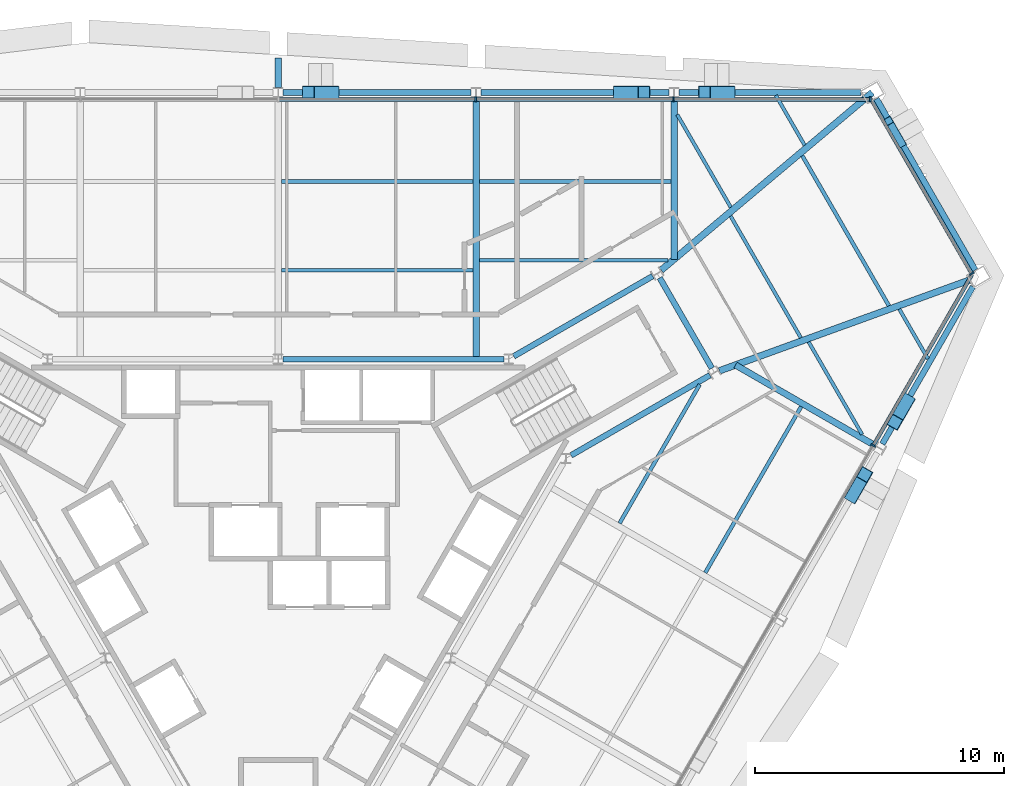
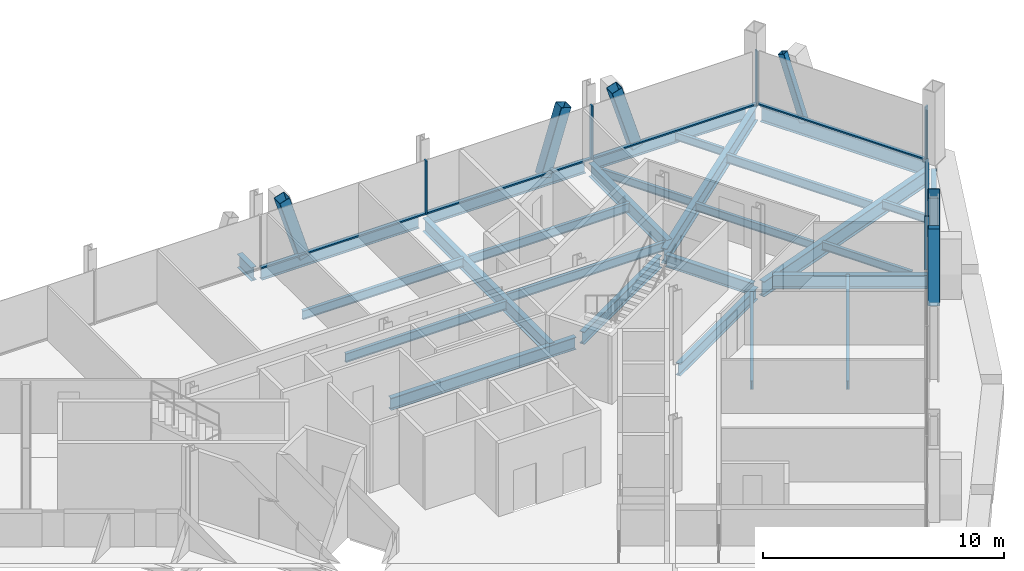
# One storey, part 7 of 14: 27 beams, 16 members, 3 elements without a shape of their own.
"""IFC4 building model written with IfcOpenShell, lengths in metres."""

from ifc_helpers import new_model, si_unit, direction, frame, origin, origin_2d, place, context, subcontext, project, spatial, rectangle, hollow_rectangle, i_section, extrude, material, material_profile, profile_set, type_object, element, aggregate, save


model = new_model("IFC4")

# Units and contexts
model_context = context("Model", 3, precision=1e-05, world=origin(), true_north=direction((0.0, 1.0)))
body_context = subcontext(model_context, "Body", "Model", "MODEL_VIEW")
ifc_project = project(units=[si_unit("LENGTHUNIT", "METRE"), si_unit("AREAUNIT", "SQUARE_METRE"), si_unit("VOLUMEUNIT", "CUBIC_METRE"), si_unit("PLANEANGLEUNIT", "RADIAN"), si_unit("MASSUNIT", "GRAM", prefix="KILO")], contexts=[model_context])

# Site, building, storey
site_placement = place(None, origin())
site = spatial("IfcSite", under=ifc_project, at=site_placement, CompositionType="ELEMENT")
building_placement = place(site_placement, origin())
building = spatial("IfcBuilding", under=site, at=building_placement, Name="Verrane Prism Tower", CompositionType="ELEMENT")
storey_placement = place(building_placement, frame((0.0, 0.0, 193.199951171875)))
storey = spatial("IfcBuildingStorey", under=building, at=storey_placement, Name="L48", CompositionType="ELEMENT", Elevation=193.199951171875)

# Member
ifc_material_1 = material(Name="Steel A500 Grade C", Category="steel")
ifc_material_profile_1 = material_profile(ifc_material_1, hollow_rectangle(XDim=0.3046875, YDim=0.3046875, WallThickness=0.0126953125, InnerFilletRadius=0.00634765625, OuterFilletRadius=0.01904296875, at=origin_2d()), Name="HSS12x12x1/2")
ifc_profile_set_1 = profile_set([ifc_material_profile_1], Name="Steel A500 Grade C")
member_type_1 = type_object("IfcMemberType", Name="Chamfer brace HSS12x12x1/2", PredefinedType="BRACE", material=ifc_profile_set_1)
member_1_placement = place(storey_placement, frame((25.03125, 16.680419921875, -0.242431640625), z_axis=(-0.156575563455, 0.271303155925, 0.949672938708), x_axis=(-0.866110249334, -0.499853014394, 0.0)))
element("IfcMember", 1, at=member_1_placement, inside=storey, type_object=member_type_1, Name="Chamfer brace NE0 L48", PredefinedType="BRACE", context=body_context, shape_type="SweptSolid", body=[
    extrude(hollow_rectangle(XDim=0.3046875, YDim=0.3046875, WallThickness=0.0126953125, InnerFilletRadius=0.00634765625, OuterFilletRadius=0.01904296875, at=origin_2d()), origin(), (0.0, 0.0, 1.0), 3.27294921875),
])

# Beams
ifc_material_2 = material(Name="Steel A992", Category="steel")
ifc_material_profile_2 = material_profile(ifc_material_2, i_section(OverallWidth=0.2666015625, OverallDepth=0.7568359375, WebThickness=0.013916015625, FlangeThickness=0.019287109375, FilletRadius=0.0166015625, at=origin_2d()), Name="W30x108")
ifc_profile_set_2 = profile_set([ifc_material_profile_2], Name="Steel A992")
beam_type_1 = type_object("IfcBeamType", Name="Chamfer spandrel beam W30x108", PredefinedType="SPANDREL", material=ifc_profile_set_2)
beam_1_placement = place(storey_placement, frame((27.97998046875, 11.56982421875, -0.538330078125), z_axis=(-0.499772118917, 0.86615693102, 0.0), x_axis=(-0.86615693102, -0.499772118917, 0.0)))
element("IfcBeam", 2, at=beam_1_placement, inside=storey, type_object=beam_type_1, Name="Chamfer spandrel beam L48", PredefinedType="SPANDREL", context=body_context, shape_type="SweptSolid", body=[
    extrude(i_section(OverallWidth=0.2666015625, OverallDepth=0.7568359375, WebThickness=0.013916015625, FlangeThickness=0.019287109375, FilletRadius=0.0166015625, at=origin_2d()), origin(), (0.0, 0.0, 1.0), 7.943603515625),
])
ifc_material_3 = material(Name="Steel A992", Category="steel")
ifc_material_profile_3 = material_profile(ifc_material_3, i_section(OverallWidth=0.23046875, OverallDepth=0.6171875, WebThickness=0.01318359375, FlangeThickness=0.022216796875, FilletRadius=0.012939453125, at=origin_2d()), Name="W24x94")
ifc_profile_set_3 = profile_set([ifc_material_profile_3], Name="Steel A992")
beam_type_2 = type_object("IfcBeamType", Name="Core ring girder W24x94", PredefinedType="BEAM", material=ifc_profile_set_3)
beam_2_placement = place(storey_placement, frame((11.7607421875, 4.1357421875, -0.55859375), z_axis=(0.866075143088, 0.499913839102, 0.0), x_axis=(-0.499913839102, 0.866075143088, 0.0)))
element("IfcBeam", 3, at=beam_2_placement, inside=storey, type_object=beam_type_2, Name="Core ring girder L48", PredefinedType="BEAM", context=body_context, shape_type="SweptSolid", body=[
    extrude(i_section(OverallWidth=0.23046875, OverallDepth=0.6171875, WebThickness=0.01318359375, FlangeThickness=0.022216796875, FilletRadius=0.012939453125, at=origin_2d()), origin(), (0.0, 0.0, 1.0), 6.441650390625),
])
beam_3_placement = place(storey_placement, frame((17.418212890625, 7.635986328125, -0.55859375), z_axis=(-0.500305747711, 0.865848808284, 0.0), x_axis=(-0.865848808284, -0.500305747711, 0.0)))
element("IfcBeam", 4, at=beam_3_placement, inside=storey, type_object=beam_type_2, Name="Core ring girder L48", PredefinedType="BEAM", context=body_context, shape_type="SweptSolid", body=[
    extrude(i_section(OverallWidth=0.23046875, OverallDepth=0.6171875, WebThickness=0.01318359375, FlangeThickness=0.022216796875, FilletRadius=0.012939453125, at=origin_2d()), origin(), (0.0, 0.0, 1.0), 4.1904296875),
])
beam_4_placement = place(storey_placement, frame((15.03955078125, 11.3359375, -0.55859375), z_axis=(-0.866075143088, -0.499913839102, 0.0), x_axis=(0.499913839102, -0.866075143088, 0.0)))
element("IfcBeam", 5, at=beam_4_placement, inside=storey, type_object=beam_type_2, Name="Core ring girder L48", PredefinedType="BEAM", context=body_context, shape_type="SweptSolid", body=[
    extrude(i_section(OverallWidth=0.23046875, OverallDepth=0.6171875, WebThickness=0.01318359375, FlangeThickness=0.022216796875, FilletRadius=0.012939453125, at=origin_2d()), origin(), (0.0, 0.0, 1.0), 6.441650390625),
])
beam_5_placement = place(storey_placement, frame((9.059326171875, 8.0, -0.55859375), z_axis=(-1.0, 0.0, 0.0), x_axis=(0.0, -1.0, 0.0)))
element("IfcBeam", 6, at=beam_5_placement, inside=storey, type_object=beam_type_2, Name="Core ring girder L48", PredefinedType="BEAM", context=body_context, shape_type="SweptSolid", body=[
    extrude(i_section(OverallWidth=0.23046875, OverallDepth=0.6171875, WebThickness=0.01318359375, FlangeThickness=0.022216796875, FilletRadius=0.012939453125, at=origin_2d()), origin(), (0.0, 0.0, 1.0), 8.858642578125),
])
ifc_material_4 = material(Name="Steel A992", Category="steel")
ifc_material_profile_4 = material_profile(ifc_material_4, i_section(OverallWidth=0.2666015625, OverallDepth=0.76708984375, WebThickness=0.014892578125, FlangeThickness=0.023681640625, FilletRadius=0.0166015625, at=origin_2d()), Name="W30x124")
ifc_profile_set_4 = profile_set([ifc_material_profile_4], Name="Steel A992")
beam_type_3 = type_object("IfcBeamType", Name="Corner girder W30x124", PredefinedType="BEAM", material=ifc_profile_set_4)
beam_6_placement = place(storey_placement, frame((27.747314453125, 11.171142578125, -0.603515625), z_axis=(-0.940029060961, -0.341094363114, 0.0), x_axis=(0.341094363114, -0.940029060961, 0.0)))
element("IfcBeam", 7, at=beam_6_placement, inside=storey, type_object=beam_type_3, Name="Corner girder L48", PredefinedType="BEAM", context=body_context, shape_type="SweptSolid", body=[
    extrude(i_section(OverallWidth=0.2666015625, OverallDepth=0.76708984375, WebThickness=0.014892578125, FlangeThickness=0.023681640625, FilletRadius=0.0166015625, at=origin_2d()), origin(), (0.0, 0.0, 1.0), 10.66845703125),
])
beam_7_placement = place(storey_placement, frame((23.85791015625, 18.7080078125, -0.603515625), z_axis=(-0.765174039001, -0.643823492923, 0.0), x_axis=(0.643823492923, -0.765174039001, 0.0)))
element("IfcBeam", 8, at=beam_7_placement, inside=storey, type_object=beam_type_3, Name="Corner girder L48", PredefinedType="BEAM", context=body_context, shape_type="SweptSolid", body=[
    extrude(i_section(OverallWidth=0.2666015625, OverallDepth=0.76708984375, WebThickness=0.014892578125, FlangeThickness=0.023681640625, FilletRadius=0.0166015625, at=origin_2d()), origin(), (0.0, 0.0, 1.0), 11.077392578125),
])

# Members
ifc_material_5 = material(Name="Steel A500 Grade C", Category="steel")
ifc_material_profile_5 = material_profile(ifc_material_5, hollow_rectangle(XDim=0.508056640625, YDim=0.508056640625, WallThickness=0.01904296875, InnerFilletRadius=0.009521484375, OuterFilletRadius=0.028564453125, at=origin_2d()), Name="HSS20x20x3/4")
ifc_profile_set_5 = profile_set([ifc_material_profile_5], Name="Steel A500 Grade C")
member_type_2 = type_object("IfcMemberType", Name="Facade brace HSS20x20x3/4", PredefinedType="BRACE", material=ifc_profile_set_5)
member_2_placement = place(storey_placement, frame((18.096923828125, 18.7099609375, -0.216552734375), z_axis=(-0.293819030565, 0.0, 0.955861065887), x_axis=(0.0, -1.0, 0.0)))
element("IfcMember", 9, at=member_2_placement, inside=storey, type_object=member_type_2, Name="Facade brace N0 L48", PredefinedType="BRACE", context=body_context, shape_type="SweptSolid", body=[
    extrude(hollow_rectangle(XDim=0.508056640625, YDim=0.508056640625, WallThickness=0.01904296875, InnerFilletRadius=0.009521484375, OuterFilletRadius=0.028564453125, at=origin_2d()), origin(), (0.0, 0.0, 1.0), 3.34375),
])
for number, where, z_axis, x_axis, name in (
    (10, (13.705810546875, 18.7099609375, -0.216552734375), (0.29348541112, 0.0, 0.95596355237), (0.0, 1.0, 0.0), "Facade brace N1 L48"),
    (11, (2.194091796875, 18.7099609375, -0.216552734375), (-0.29348541112, 0.0, 0.95596355237), (0.0, -1.0, 0.0), "Facade brace N2 L48"),
):
    element("IfcMember", number, at=place(storey_placement, frame(where, z_axis=z_axis, x_axis=x_axis)), inside=storey, type_object=member_type_2, Name=name, PredefinedType="BRACE", context=body_context, shape_type="SweptSolid", body=[
        extrude(hollow_rectangle(XDim=0.508056640625, YDim=0.508056640625, WallThickness=0.01904296875, InnerFilletRadius=0.009521484375, OuterFilletRadius=0.028564453125, at=origin_2d()), origin(), (0.0, 0.0, 1.0), 3.34326171875),
    ])
member_3_placement = place(storey_placement, frame((23.0615234375, 2.518310546875, -0.216552734375), z_axis=(0.146914662602, 0.254325929346, 0.955894556724), x_axis=(-0.865908146456, 0.500203040675, 0.0)))
element("IfcMember", 12, at=member_3_placement, inside=storey, type_object=member_type_2, Name="Facade brace SE4 L48", PredefinedType="BRACE", context=body_context, shape_type="SweptSolid", body=[
    extrude(hollow_rectangle(XDim=0.508056640625, YDim=0.508056640625, WallThickness=0.01904296875, InnerFilletRadius=0.009521484375, OuterFilletRadius=0.028564453125, at=origin_2d()), origin(), (0.0, 0.0, 1.0), 3.343505859375),
])
member_4_placement = place(storey_placement, frame((25.255615234375, 6.321533203125, -0.216552734375), z_axis=(-0.146485962201, -0.254342276345, 0.955955997597), x_axis=(0.866553987117, -0.499083347159, 0.0)))
element("IfcMember", 13, at=member_4_placement, inside=storey, type_object=member_type_2, Name="Facade brace SE5 L48", PredefinedType="BRACE", context=body_context, shape_type="SweptSolid", body=[
    extrude(hollow_rectangle(XDim=0.508056640625, YDim=0.508056640625, WallThickness=0.01904296875, InnerFilletRadius=0.009521484375, OuterFilletRadius=0.028564453125, at=origin_2d()), origin(), (0.0, 0.0, 1.0), 3.34326171875),
])

# Beams
ifc_material_6 = material(Name="Steel A992", Category="steel")
ifc_material_profile_6 = material_profile(ifc_material_6, i_section(OverallWidth=0.140380859375, OverallDepth=0.40380859375, WebThickness=0.007080078125, FlangeThickness=0.01123046875, FilletRadius=0.01025390625, at=origin_2d()), Name="W16x31")
ifc_profile_set_6 = profile_set([ifc_material_profile_6], Name="Steel A992")
beam_type_4 = type_object("IfcBeamType", Name="Floor beam W16x31", PredefinedType="BEAM", material=ifc_profile_set_6)
beam_8_placement = place(storey_placement, frame((21.138916015625, 16.593994140625, -0.36181640625), z_axis=(-0.50000294753, 0.86602370202, 0.0), x_axis=(-0.86602370202, -0.50000294753, 0.0)))
element("IfcBeam", 14, at=beam_8_placement, inside=storey, type_object=beam_type_4, Name="Floor beam L48", PredefinedType="BEAM", context=body_context, shape_type="SweptSolid", body=[
    extrude(i_section(OverallWidth=0.140380859375, OverallDepth=0.40380859375, WebThickness=0.007080078125, FlangeThickness=0.01123046875, FilletRadius=0.01025390625, at=origin_2d()), origin(), (0.0, 0.0, 1.0), 2.310546875),
])
beam_9_placement = place(storey_placement, frame((18.1748046875, 14.09912109375, -0.36181640625), z_axis=(-0.499996331799, 0.866027521611, 0.0), x_axis=(-0.866027521611, -0.499996331799, 0.0)))
element("IfcBeam", 15, at=beam_9_placement, inside=storey, type_object=beam_type_4, Name="Floor beam L48", PredefinedType="BEAM", context=body_context, shape_type="SweptSolid", body=[
    extrude(i_section(OverallWidth=0.140380859375, OverallDepth=0.40380859375, WebThickness=0.007080078125, FlangeThickness=0.01123046875, FilletRadius=0.01025390625, at=origin_2d()), origin(), (0.0, 0.0, 1.0), 4.29541015625),
])
beam_10_placement = place(storey_placement, frame((26.0966796875, 8.01123046875, -0.36181640625), z_axis=(-0.49999068997, 0.866030778866, 0.0), x_axis=(-0.866030778866, -0.49999068997, 0.0)))
element("IfcBeam", 16, at=beam_10_placement, inside=storey, type_object=beam_type_4, Name="Floor beam L48", PredefinedType="BEAM", context=body_context, shape_type="SweptSolid", body=[
    extrude(i_section(OverallWidth=0.140380859375, OverallDepth=0.40380859375, WebThickness=0.007080078125, FlangeThickness=0.01123046875, FilletRadius=0.01025390625, at=origin_2d()), origin(), (0.0, 0.0, 1.0), 2.31103515625),
])
beam_11_placement = place(storey_placement, frame((23.4482421875, 4.977783203125, -0.36181640625), z_axis=(-0.500024500477, 0.866011257965, 0.0), x_axis=(-0.866011257965, -0.500024500477, 0.0)))
element("IfcBeam", 17, at=beam_11_placement, inside=storey, type_object=beam_type_4, Name="Floor beam L48", PredefinedType="BEAM", context=body_context, shape_type="SweptSolid", body=[
    extrude(i_section(OverallWidth=0.140380859375, OverallDepth=0.40380859375, WebThickness=0.007080078125, FlangeThickness=0.01123046875, FilletRadius=0.01025390625, at=origin_2d()), origin(), (0.0, 0.0, 1.0), 4.291259765625),
])
beam_12_placement = place(storey_placement, frame((20.986572265625, 8.86376953125, -0.36181640625), z_axis=(-0.500001171754, 0.866024727271, 0.0), x_axis=(-0.866024727271, -0.500001171754, 0.0)))
element("IfcBeam", 18, at=beam_12_placement, inside=storey, type_object=beam_type_4, Name="Floor beam L48", PredefinedType="BEAM", context=body_context, shape_type="SweptSolid", body=[
    extrude(i_section(OverallWidth=0.140380859375, OverallDepth=0.40380859375, WebThickness=0.007080078125, FlangeThickness=0.01123046875, FilletRadius=0.01025390625, at=origin_2d()), origin(), (0.0, 0.0, 1.0), 5.63623046875),
])
ifc_material_7 = material(Name="Steel A992", Category="steel")
ifc_material_profile_7 = material_profile(ifc_material_7, i_section(OverallWidth=0.15234375, OverallDepth=0.449462890625, WebThickness=0.007568359375, FlangeThickness=0.0107421875, FilletRadius=0.01025390625, at=origin_2d()), Name="W18x35")
ifc_profile_set_7 = profile_set([ifc_material_profile_7], Name="Steel A992")
beam_type_5 = type_object("IfcBeamType", Name="Floor beam W18x35", PredefinedType="BEAM", material=ifc_profile_set_7)
beam_13_placement = place(storey_placement, frame((8.076904296875, 11.969970703125, -0.384765625), z_axis=(1.0, 0.0, 0.0), x_axis=(0.0, 1.0, 0.0)))
element("IfcBeam", 19, at=beam_13_placement, inside=storey, type_object=beam_type_5, Name="Floor beam L48", PredefinedType="BEAM", context=body_context, shape_type="SweptSolid", body=[
    extrude(i_section(OverallWidth=0.15234375, OverallDepth=0.449462890625, WebThickness=0.007568359375, FlangeThickness=0.0107421875, FilletRadius=0.01025390625, at=origin_2d()), origin(), (0.0, 0.0, 1.0), 7.568115234375),
])
for number, where, z_axis, x_axis, name in (
    (20, (8.076904296875, 15.139892578125, -0.384765625), (1.0, 0.0, 0.0), (0.0, 1.0, 0.0), "Floor beam L48"),
    (21, (0.126953125, 11.570068359375, -0.384765625), (1.0, 0.0, 0.0), (0.0, 1.0, 0.0), "Floor beam L48"),
    (22, (0.126953125, 15.139892578125, -0.384765625), (1.0, 0.0, 0.0), (0.0, 1.0, 0.0), "Floor beam L48"),
):
    element("IfcBeam", number, at=place(storey_placement, frame(where, z_axis=z_axis, x_axis=x_axis)), inside=storey, type_object=beam_type_5, Name=name, PredefinedType="BEAM", context=body_context, shape_type="SweptSolid", body=[
        extrude(i_section(OverallWidth=0.15234375, OverallDepth=0.449462890625, WebThickness=0.007568359375, FlangeThickness=0.0107421875, FilletRadius=0.01025390625, at=origin_2d()), origin(), (0.0, 0.0, 1.0), 7.696044921875),
    ])
beam_14_placement = place(storey_placement, frame((17.151123046875, -0.573974609375, -0.384765625), z_axis=(0.50001143954, 0.866018799062, 0.0), x_axis=(-0.866018799062, 0.50001143954, 0.0)))
element("IfcBeam", 23, at=beam_14_placement, inside=storey, type_object=beam_type_5, Name="Floor beam L48", PredefinedType="BEAM", context=body_context, shape_type="SweptSolid", body=[
    extrude(i_section(OverallWidth=0.15234375, OverallDepth=0.449462890625, WebThickness=0.007568359375, FlangeThickness=0.0107421875, FilletRadius=0.01025390625, at=origin_2d()), origin(), (0.0, 0.0, 1.0), 7.702880859375),
])
beam_15_placement = place(storey_placement, frame((13.7109375, 1.4130859375, -0.384765625), z_axis=(0.499999433879, 0.866025730634, 0.0), x_axis=(-0.866025730634, 0.499999433879, 0.0)))
element("IfcBeam", 24, at=beam_15_placement, inside=storey, type_object=beam_type_5, Name="Floor beam L48", PredefinedType="BEAM", context=body_context, shape_type="SweptSolid", body=[
    extrude(i_section(OverallWidth=0.15234375, OverallDepth=0.449462890625, WebThickness=0.007568359375, FlangeThickness=0.0107421875, FilletRadius=0.01025390625, at=origin_2d()), origin(), (0.0, 0.0, 1.0), 6.4345703125),
])
beam_16_placement = place(storey_placement, frame((24.525390625, 10.14599609375, -0.384765625), z_axis=(-0.500009115389, 0.866020140948, 0.0), x_axis=(-0.866020140948, -0.500009115389, 0.0)))
element("IfcBeam", 25, at=beam_16_placement, inside=storey, type_object=beam_type_5, Name="Floor beam L48", PredefinedType="BEAM", context=body_context, shape_type="SweptSolid", body=[
    extrude(i_section(OverallWidth=0.15234375, OverallDepth=0.449462890625, WebThickness=0.007568359375, FlangeThickness=0.0107421875, FilletRadius=0.01025390625, at=origin_2d()), origin(), (0.0, 0.0, 1.0), 6.954345703125),
])

# Curtain wall, member
ifc_material_8 = material(Name="Aluminium framed insulated glazing", Category="aluminium")
curtain_wall_type = type_object("IfcCurtainWallType", Name="Curtain wall CW-A 8400 module", PredefinedType="NOTDEFINED", material=ifc_material_8)
curtain_wall_1_placement = place(storey_placement, origin())
curtain_wall_1 = element("IfcCurtainWall", 26, at=curtain_wall_1_placement, inside=storey, type_object=curtain_wall_type, Name="Glazed curtain wall north-east corner L48", PredefinedType="NOTDEFINED")
ifc_material_9 = material(Name="Aluminium alloy 6063-T6", Category="aluminium")
ifc_material_profile_8 = material_profile(ifc_material_9, rectangle(XDim=0.199951171875, YDim=0.070068359375, at=origin_2d()), Name="Mullion 70x200 aluminium")
ifc_profile_set_8 = profile_set([ifc_material_profile_8], Name="Aluminium alloy 6063-T6")
member_type_3 = type_object("IfcMemberType", Name="Mullion 70x200 aluminium", PredefinedType="MULLION", material=ifc_profile_set_8)
member_5_placement = place(storey_placement, frame((27.8505859375, 11.4375, 0.0), z_axis=(0.0, 0.0, 1.0), x_axis=(-0.866022763997, -0.500004572218, 0.0)))
member_5 = element("IfcMember", 27, at=member_5_placement, type_object=member_type_3, Name="CW47.1 mullion 1", PredefinedType="MULLION", context=body_context, shape_type="SweptSolid", body=[
    extrude(rectangle(XDim=0.199951171875, YDim=0.070068359375, at=origin_2d()), origin(), (0.0, 0.0, 1.0), 2.712890625),
])

# Curtain wall, members
curtain_wall_2_placement = place(storey_placement, origin())
curtain_wall_2 = element("IfcCurtainWall", 28, at=curtain_wall_2_placement, inside=storey, type_object=curtain_wall_type, Name="Glazed curtain wall north face L48", PredefinedType="NOTDEFINED")
member_6_placement = place(storey_placement, frame((23.77783203125, 18.430908203125, 0.0), z_axis=(0.0, 0.0, 1.0), x_axis=(0.0, -1.0, 0.0)))
member_6 = element("IfcMember", 29, at=member_6_placement, type_object=member_type_3, Name="CW47.2 mullion 1", PredefinedType="MULLION", context=body_context, shape_type="SweptSolid", body=[
    extrude(rectangle(XDim=0.199951171875, YDim=0.070068359375, at=origin_2d()), origin(), (0.0, 0.0, 1.0), 2.712890625),
])
member_7_placement = place(storey_placement, frame((15.875244140625, 18.430908203125, 0.0), z_axis=(0.0, 0.0, 1.0), x_axis=(0.0, -1.0, 0.0)))
member_7 = element("IfcMember", 30, at=member_7_placement, type_object=member_type_3, Name="CW47.2 mullion 2", PredefinedType="MULLION", context=body_context, shape_type="SweptSolid", body=[
    extrude(rectangle(XDim=0.199951171875, YDim=0.070068359375, at=origin_2d()), origin(), (0.0, 0.0, 1.0), 2.712890625),
])
member_8_placement = place(storey_placement, frame((7.937744140625, 18.430908203125, 0.0), z_axis=(0.0, 0.0, 1.0), x_axis=(0.0, -1.0, 0.0)))
member_8 = element("IfcMember", 31, at=member_8_placement, type_object=member_type_3, Name="CW47.2 mullion 3", PredefinedType="MULLION", context=body_context, shape_type="SweptSolid", body=[
    extrude(rectangle(XDim=0.199951171875, YDim=0.070068359375, at=origin_2d()), origin(), (0.0, 0.0, 1.0), 2.712890625),
])

# Curtain wall, member
curtain_wall_3_placement = place(storey_placement, origin())
curtain_wall_3 = element("IfcCurtainWall", 32, at=curtain_wall_3_placement, inside=storey, type_object=curtain_wall_type, Name="Glazed curtain wall south-east face L48", PredefinedType="NOTDEFINED")
member_9_placement = place(storey_placement, frame((23.8994140625, 4.532958984375, 0.0), z_axis=(0.0, 0.0, 1.0), x_axis=(-0.866025652206, 0.499999569721, 0.0)))
member_9 = element("IfcMember", 33, at=member_9_placement, type_object=member_type_3, Name="CW47.6 mullion 6", PredefinedType="MULLION", context=body_context, shape_type="SweptSolid", body=[
    extrude(rectangle(XDim=0.199951171875, YDim=0.070068359375, at=origin_2d()), origin(), (0.0, 0.0, 1.0), 2.712890625),
])

# Beams
ifc_material_10 = material(Name="Steel A992", Category="steel")
ifc_material_profile_9 = material_profile(ifc_material_10, i_section(OverallWidth=0.25390625, OverallDepth=0.683349609375, WebThickness=0.012451171875, FlangeThickness=0.01904296875, FilletRadius=0.01513671875, at=origin_2d()), Name="W27x94")
ifc_profile_set_9 = profile_set([ifc_material_profile_9], Name="Steel A992")
beam_type_6 = type_object("IfcBeamType", Name="Radial girder W27x94", PredefinedType="BEAM", material=ifc_profile_set_9)
beam_17_placement = place(storey_placement, frame((15.89990234375, 18.501708984375, -0.5615234375), z_axis=(0.0, -1.0, 0.0), x_axis=(1.0, 0.0, 0.0)))
element("IfcBeam", 34, at=beam_17_placement, inside=storey, type_object=beam_type_6, Name="Radial girder L48", PredefinedType="BEAM", context=body_context, shape_type="SweptSolid", body=[
    extrude(i_section(OverallWidth=0.25390625, OverallDepth=0.683349609375, WebThickness=0.012451171875, FlangeThickness=0.01904296875, FilletRadius=0.01513671875, at=origin_2d()), origin(), (0.0, 0.0, 1.0), 6.489501953125),
])
beam_18_placement = place(storey_placement, frame((7.949951171875, 18.501708984375, -0.5615234375), z_axis=(0.0, -1.0, 0.0), x_axis=(1.0, 0.0, 0.0)))
element("IfcBeam", 35, at=beam_18_placement, inside=storey, type_object=beam_type_6, Name="Radial girder L48", PredefinedType="BEAM", context=body_context, shape_type="SweptSolid", body=[
    extrude(i_section(OverallWidth=0.25390625, OverallDepth=0.683349609375, WebThickness=0.012451171875, FlangeThickness=0.01904296875, FilletRadius=0.01513671875, at=origin_2d()), origin(), (0.0, 0.0, 1.0), 10.501708984375),
])
beam_19_placement = place(storey_placement, frame((23.9794921875, 4.524169921875, -0.5615234375), z_axis=(-0.866019429159, 0.500010348212, 0.0), x_axis=(-0.500010348212, -0.866019429159, 0.0)))
element("IfcBeam", 36, at=beam_19_placement, inside=storey, type_object=beam_type_6, Name="Radial girder L48", PredefinedType="BEAM", context=body_context, shape_type="SweptSolid", body=[
    extrude(i_section(OverallWidth=0.25390625, OverallDepth=0.683349609375, WebThickness=0.012451171875, FlangeThickness=0.01904296875, FilletRadius=0.01513671875, at=origin_2d()), origin(), (0.0, 0.0, 1.0), 6.484130859375),
])
beam_20_placement = place(storey_placement, frame((0.0, 18.914306640625, -0.5615234375), z_axis=(0.0, 1.0, 0.0), x_axis=(-1.0, 0.0, 0.0)))
element("IfcBeam", 37, at=beam_20_placement, inside=storey, type_object=beam_type_6, Name="Cantilever girder L48", PredefinedType="BEAM", context=body_context, shape_type="SweptSolid", body=[
    extrude(i_section(OverallWidth=0.25390625, OverallDepth=0.683349609375, WebThickness=0.012451171875, FlangeThickness=0.01904296875, FilletRadius=0.01513671875, at=origin_2d()), origin(), (0.0, 0.0, 1.0), 1.17578125),
])
ifc_material_11 = material(Name="Steel A992", Category="steel")
ifc_material_profile_10 = material_profile(ifc_material_11, i_section(OverallWidth=0.23046875, OverallDepth=0.6171875, WebThickness=0.01318359375, FlangeThickness=0.022216796875, FilletRadius=0.012939453125, at=origin_2d()), Name="W24x94")
ifc_profile_set_10 = profile_set([ifc_material_profile_10], Name="Steel A992")
beam_type_7 = type_object("IfcBeamType", Name="Spandrel beam W24x94", PredefinedType="SPANDREL", material=ifc_profile_set_10)
beam_21_placement = place(storey_placement, frame((23.398193359375, 18.7099609375, -0.468505859375), z_axis=(-1.0, 0.0, 0.0), x_axis=(0.0, -1.0, 0.0)))
element("IfcBeam", 38, at=beam_21_placement, inside=storey, type_object=beam_type_7, Name="Spandrel beam L48", PredefinedType="SPANDREL", context=body_context, shape_type="SweptSolid", body=[
    extrude(i_section(OverallWidth=0.23046875, OverallDepth=0.6171875, WebThickness=0.01318359375, FlangeThickness=0.022216796875, FilletRadius=0.012939453125, at=origin_2d()), origin(), (0.0, 0.0, 1.0), 7.294921875),
])
beam_22_placement = place(storey_placement, frame((15.69677734375, 18.7099609375, -0.468505859375), z_axis=(-1.0, 0.0, 0.0), x_axis=(0.0, -1.0, 0.0)))
element("IfcBeam", 39, at=beam_22_placement, inside=storey, type_object=beam_type_7, Name="Spandrel beam L48", PredefinedType="SPANDREL", context=body_context, shape_type="SweptSolid", body=[
    extrude(i_section(OverallWidth=0.23046875, OverallDepth=0.6171875, WebThickness=0.01318359375, FlangeThickness=0.022216796875, FilletRadius=0.012939453125, at=origin_2d()), origin(), (0.0, 0.0, 1.0), 7.54345703125),
])
beam_23_placement = place(storey_placement, frame((7.746826171875, 18.7099609375, -0.468505859375), z_axis=(-1.0, 0.0, 0.0), x_axis=(0.0, -1.0, 0.0)))
element("IfcBeam", 40, at=beam_23_placement, inside=storey, type_object=beam_type_7, Name="Spandrel beam L48", PredefinedType="SPANDREL", context=body_context, shape_type="SweptSolid", body=[
    extrude(i_section(OverallWidth=0.23046875, OverallDepth=0.6171875, WebThickness=0.01318359375, FlangeThickness=0.022216796875, FilletRadius=0.012939453125, at=origin_2d()), origin(), (0.0, 0.0, 1.0), 7.543701171875),
])
beam_24_placement = place(storey_placement, frame((24.261474609375, 4.59619140625, -0.468505859375), z_axis=(0.49926409203, 0.86644986376, 0.0), x_axis=(-0.86644986376, 0.49926409203, 0.0)))
element("IfcBeam", 41, at=beam_24_placement, inside=storey, type_object=beam_type_7, Name="Spandrel beam L48", PredefinedType="SPANDREL", context=body_context, shape_type="SweptSolid", body=[
    extrude(i_section(OverallWidth=0.23046875, OverallDepth=0.6171875, WebThickness=0.01318359375, FlangeThickness=0.022216796875, FilletRadius=0.012939453125, at=origin_2d()), origin(), (0.0, 0.0, 1.0), 7.28662109375),
])

# Member
ifc_material_12 = material(Name="Aluminium alloy 6063-T6", Category="aluminium")
ifc_material_profile_11 = material_profile(ifc_material_12, rectangle(XDim=0.14990234375, YDim=0.070068359375, at=origin_2d()), Name="Transom 70x150 aluminium")
ifc_profile_set_11 = profile_set([ifc_material_profile_11], Name="Aluminium alloy 6063-T6")
member_type_4 = type_object("IfcMemberType", Name="Transom 70x150 aluminium", PredefinedType="USERDEFINED", material=ifc_profile_set_11)
member_10_placement = place(storey_placement, frame((27.833251953125, 11.4677734375, 0.03515625), z_axis=(-0.500008949224, 0.866020236886, 0.0), x_axis=(-0.866020236886, -0.500008949224, 0.0)))
member_10 = element("IfcMember", 42, at=member_10_placement, type_object=member_type_4, Name="CW47.1 transom 1", ObjectType="TRANSOM", PredefinedType="USERDEFINED", context=body_context, shape_type="SweptSolid", body=[
    extrude(rectangle(XDim=0.14990234375, YDim=0.070068359375, at=origin_2d()), origin(), (0.0, 0.0, 1.0), 8.040283203125),
])

aggregate(curtain_wall_1, [member_5, member_10])

member_11_placement = place(storey_placement, frame((23.742919921875, 18.430908203125, 0.03515625), z_axis=(-1.0, 0.0, 0.0), x_axis=(0.0, -1.0, 0.0)))
member_11 = element("IfcMember", 43, at=member_11_placement, type_object=member_type_4, Name="CW47.2 transom 1", ObjectType="TRANSOM", PredefinedType="USERDEFINED", context=body_context, shape_type="SweptSolid", body=[
    extrude(rectangle(XDim=0.14990234375, YDim=0.070068359375, at=origin_2d()), origin(), (0.0, 0.0, 1.0), 7.832763671875),
])

member_12_placement = place(storey_placement, frame((15.84033203125, 18.430908203125, 0.03515625), z_axis=(-1.0, 0.0, 0.0), x_axis=(0.0, -1.0, 0.0)))
member_12 = element("IfcMember", 44, at=member_12_placement, type_object=member_type_4, Name="CW47.2 transom 2", ObjectType="TRANSOM", PredefinedType="USERDEFINED", context=body_context, shape_type="SweptSolid", body=[
    extrude(rectangle(XDim=0.14990234375, YDim=0.070068359375, at=origin_2d()), origin(), (0.0, 0.0, 1.0), 7.86767578125),
])

member_13_placement = place(storey_placement, frame((7.902587890625, 18.430908203125, 0.03515625), z_axis=(-1.0, 0.0, 0.0), x_axis=(0.0, -1.0, 0.0)))
member_13 = element("IfcMember", 45, at=member_13_placement, type_object=member_type_4, Name="CW47.2 transom 3", ObjectType="TRANSOM", PredefinedType="USERDEFINED", context=body_context, shape_type="SweptSolid", body=[
    extrude(rectangle(XDim=0.14990234375, YDim=0.070068359375, at=origin_2d()), origin(), (0.0, 0.0, 1.0), 7.86767578125),
])

aggregate(curtain_wall_2, [member_6, member_7, member_8, member_11, member_12, member_13])

member_14_placement = place(storey_placement, frame((23.9169921875, 4.563232421875, 0.03515625), z_axis=(0.499993448556, 0.866029186229, 0.0), x_axis=(-0.866029186229, 0.499993448556, 0.0)))
member_14 = element("IfcMember", 46, at=member_14_placement, type_object=member_type_4, Name="CW47.6 transom 6", ObjectType="TRANSOM", PredefinedType="USERDEFINED", context=body_context, shape_type="SweptSolid", body=[
    extrude(rectangle(XDim=0.14990234375, YDim=0.070068359375, at=origin_2d()), origin(), (0.0, 0.0, 1.0), 7.90234375),
])

aggregate(curtain_wall_3, [member_9, member_14])

save(model, "model.ifc")
